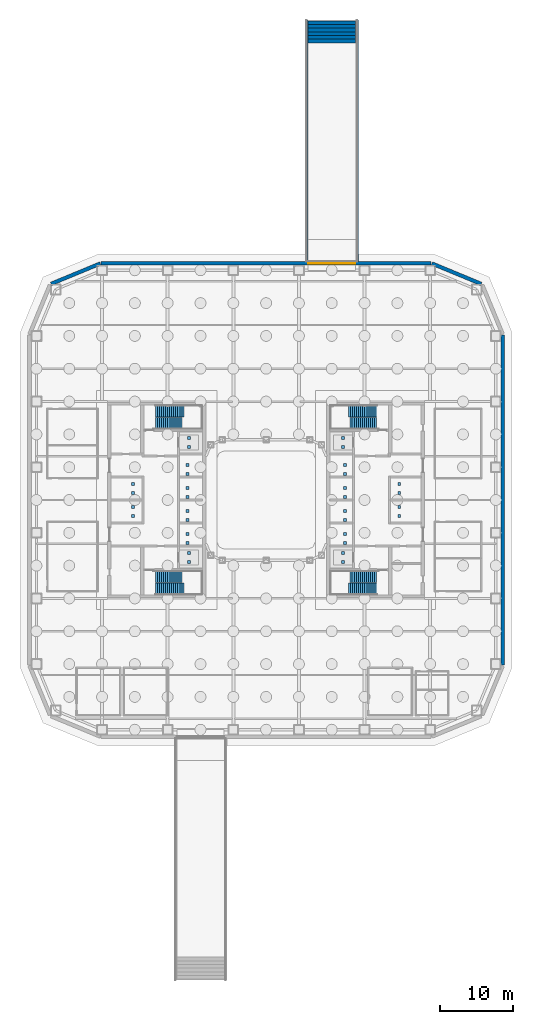
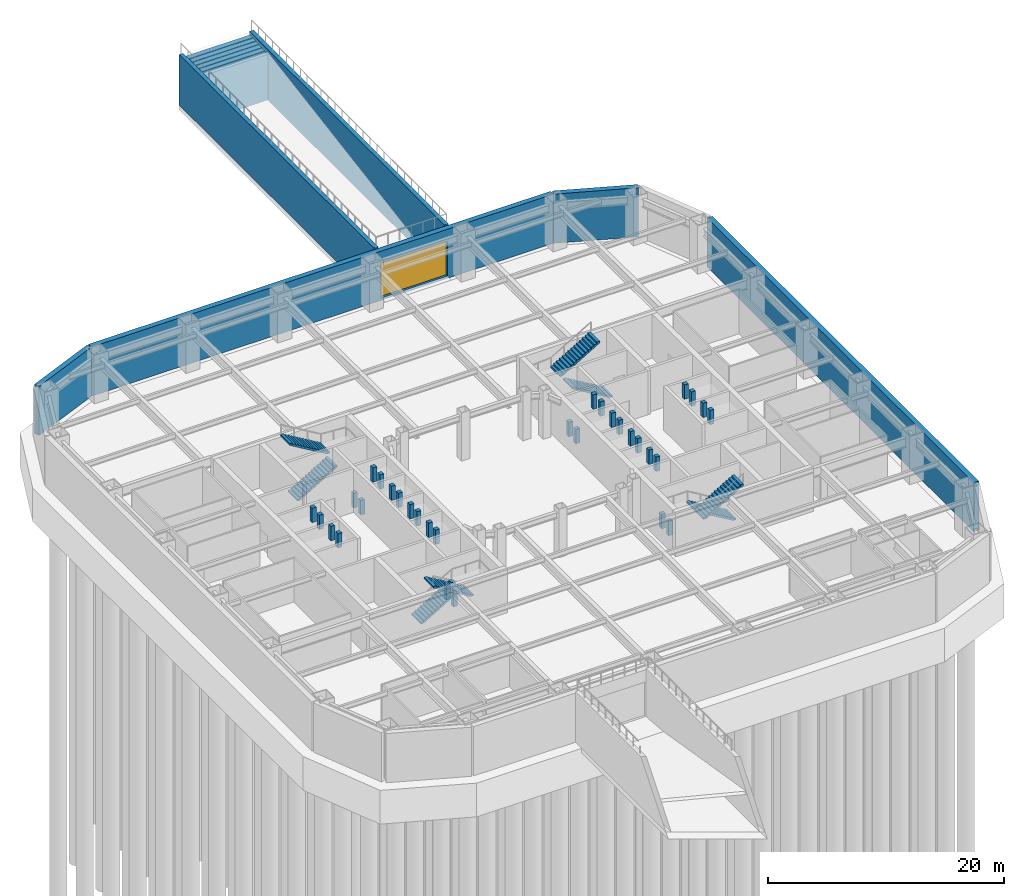
# One storey, part 7 of 10: 32 discrete accessories, 12 walls, 8 stair flights, 1 door, 1 opening, 4 elements without a shape of their own.
"""IFC4 building model written with IfcOpenShell, lengths in metres."""

from ifc_helpers import new_model, si_unit, direction, frame, frame_2d, origin, origin_2d, place, context, subcontext, project, spatial, polyline, rectangle, outline, extrude, material, layer, layer_set, type_object, element, fill, aggregate, save


model = new_model("IFC4")

# Units and contexts
model_context = context("Model", 3, precision=1e-05, world=origin(), true_north=direction((0.0, 1.0)))
body_context = subcontext(model_context, "Body", "Model", "MODEL_VIEW")
ifc_project = project(units=[si_unit("LENGTHUNIT", "METRE"), si_unit("AREAUNIT", "SQUARE_METRE"), si_unit("VOLUMEUNIT", "CUBIC_METRE"), si_unit("PLANEANGLEUNIT", "RADIAN"), si_unit("MASSUNIT", "GRAM", prefix="KILO")], contexts=[model_context])

# Site, building, storey
site_placement = place(None, origin())
site = spatial("IfcSite", under=ifc_project, at=site_placement, CompositionType="ELEMENT")
building_placement = place(site_placement, origin())
building = spatial("IfcBuilding", under=site, at=building_placement, Name="Siwar Civic Tower", CompositionType="ELEMENT")
storey_placement = place(building_placement, frame((0.0, 0.0, -5.0)))
storey = spatial("IfcBuildingStorey", under=building, at=storey_placement, Name="B1", CompositionType="ELEMENT", Elevation=-5.0)

# Walls
ifc_material_1 = material(Name="Concrete C40/50", Category="concrete")
ifc_layer_1 = layer(ifc_material_1, 0.5)
ifc_layer_set_1 = layer_set([ifc_layer_1], Name="Concrete C40/50")
wall_type_1 = type_object("IfcWallType", Name="GND-RAMPPIER", PredefinedType="SOLIDWALL", material=ifc_layer_set_1)
wall_1_placement = place(storey_placement, frame((5.75, 65.449951171875, -0.25), z_axis=(0.0, 0.0, 1.0), x_axis=(1.0, 0.0, 0.0)))
element("IfcWall", 1, at=wall_1_placement, inside=storey, type_object=wall_type_1, Name="B1/wall/pier-R2-1", PredefinedType="SOLIDWALL", context=body_context, shape_type="SweptSolid", body=[
    extrude(rectangle(XDim=6.5, YDim=0.5, at=frame_2d((3.25, 0.0))), origin(), (0.0, 0.0, 1.0), 4.958251953125),
])
wall_2_placement = place(storey_placement, frame((5.75, 64.949951171875, -0.25), z_axis=(0.0, 0.0, 1.0), x_axis=(1.0, 0.0, 0.0)))
element("IfcWall", 2, at=wall_2_placement, inside=storey, type_object=wall_type_1, Name="B1/wall/pier-R2-2", PredefinedType="SOLIDWALL", context=body_context, shape_type="SweptSolid", body=[
    extrude(rectangle(XDim=6.5, YDim=0.5, at=frame_2d((3.25, 0.0))), origin(), (0.0, 0.0, 1.0), 4.916748046875),
])
wall_3_placement = place(storey_placement, frame((5.75, 64.449951171875, -0.25), z_axis=(0.0, 0.0, 1.0), x_axis=(1.0, 0.0, 0.0)))
element("IfcWall", 3, at=wall_3_placement, inside=storey, type_object=wall_type_1, Name="B1/wall/pier-R2-3", PredefinedType="SOLIDWALL", context=body_context, shape_type="SweptSolid", body=[
    extrude(rectangle(XDim=6.5, YDim=0.5, at=frame_2d((3.25, 0.0))), origin(), (0.0, 0.0, 1.0), 4.875),
])
wall_4_placement = place(storey_placement, frame((5.75, 63.949951171875, -0.25), z_axis=(0.0, 0.0, 1.0), x_axis=(1.0, 0.0, 0.0)))
element("IfcWall", 4, at=wall_4_placement, inside=storey, type_object=wall_type_1, Name="B1/wall/pier-R2-4", PredefinedType="SOLIDWALL", context=body_context, shape_type="SweptSolid", body=[
    extrude(rectangle(XDim=6.5, YDim=0.5, at=frame_2d((3.25, 0.0))), origin(), (0.0, 0.0, 1.0), 4.833251953125),
])
wall_5_placement = place(storey_placement, frame((5.75, 63.449951171875, -0.25), z_axis=(0.0, 0.0, 1.0), x_axis=(1.0, 0.0, 0.0)))
element("IfcWall", 5, at=wall_5_placement, inside=storey, type_object=wall_type_1, Name="B1/wall/pier-R2-5", PredefinedType="SOLIDWALL", context=body_context, shape_type="SweptSolid", body=[
    extrude(rectangle(XDim=6.5, YDim=0.5, at=frame_2d((3.25, 0.0))), origin(), (0.0, 0.0, 1.0), 4.791748046875),
])
wall_6_placement = place(storey_placement, frame((5.75, 62.949951171875, -0.25), z_axis=(0.0, 0.0, 1.0), x_axis=(1.0, 0.0, 0.0)))
element("IfcWall", 6, at=wall_6_placement, inside=storey, type_object=wall_type_1, Name="B1/wall/pier-R2-6", PredefinedType="SOLIDWALL", context=body_context, shape_type="SweptSolid", body=[
    extrude(rectangle(XDim=6.5, YDim=0.5, at=frame_2d((3.25, 0.0))), origin(), (0.0, 0.0, 1.0), 4.75),
])
ifc_material_2 = material(Name="Concrete C40/50", Category="concrete")
ifc_layer_2 = layer(ifc_material_2, 0.5)
ifc_layer_set_2 = layer_set([ifc_layer_2], Name="Concrete C40/50")
wall_type_2 = type_object("IfcWallType", Name="GND-RETWALL", PredefinedType="SOLIDWALL", material=ifc_layer_set_2)
wall_7_placement = place(storey_placement, frame((32.449951171875, -22.63916015625, -0.25), z_axis=(0.0, 0.0, 1.0), x_axis=(0.0, 1.0, 0.0)))
element("IfcWall", 7, at=wall_7_placement, inside=storey, type_object=wall_type_2, Name="B1/wall/ret-04", PredefinedType="SOLIDWALL", context=body_context, shape_type="SweptSolid", body=[
    extrude(rectangle(XDim=45.2783203125, YDim=0.5, at=frame_2d((22.63916015625, 0.0))), origin(), (0.0, 0.0, 1.0), 5.10009765625),
])
wall_8_placement = place(storey_placement, frame((29.495361328125, 29.630615234375, -0.25), z_axis=(0.0, 0.0, 1.0), x_axis=(-0.923879388078, 0.382683781057, 0.0)))
element("IfcWall", 8, at=wall_8_placement, inside=storey, type_object=wall_type_2, Name="B1/wall/ret-06", PredefinedType="SOLIDWALL", context=body_context, shape_type="SweptSolid", body=[
    extrude(rectangle(XDim=7.317626953125, YDim=0.5, at=frame_2d((3.65869140625, 0.0))), origin(), (0.0, 0.0, 1.0), 5.10009765625),
])

# Wall, opening, door
wall_9_placement = place(storey_placement, frame((22.63916015625, 32.449951171875, -0.25), z_axis=(0.0, 0.0, 1.0), x_axis=(-1.0, 0.0, 0.0)))
wall_9 = element("IfcWall", 9, at=wall_9_placement, inside=storey, type_object=wall_type_2, Name="B1/wall/ret-07", PredefinedType="SOLIDWALL", context=body_context, shape_type="SweptSolid", body=[
    extrude(rectangle(XDim=45.2783203125, YDim=0.5, at=frame_2d((22.63916015625, 0.0))), origin(), (0.0, 0.0, 1.0), 5.10009765625),
])
opening_placement = place(wall_9_placement, frame((10.38916015625, 0.0, 0.25)))
opening = element("IfcOpeningElement", 10, at=opening_placement, cuts=wall_9, Name="Opening GE4", PredefinedType="OPENING", context=body_context, shape_type="SweptSolid", body=[
    extrude(rectangle(XDim=6.5, YDim=3.60009765625, at=frame_2d((3.25, 1.800048828125))), frame((0.0, 0.260009765625, 0.0), z_axis=(0.0, -1.0, 0.0), x_axis=(1.0, 0.0, 0.0)), (0.0, 0.0, 1.0), 0.52001953125),
])
ifc_material_3 = material(Name="Steel", Category="steel")
door_type = type_object("IfcDoorType", Name="GND-DOOR-VEH", OperationType="ROLLINGUP", PredefinedType="DOOR", material=ifc_material_3)
door_placement = place(opening_placement, origin())
door = element("IfcDoor", 11, at=door_placement, inside=storey, type_object=door_type, Name="Car park entrance 2", OperationType="ROLLINGUP", OverallHeight=3.60009765625, OverallWidth=6.5, PredefinedType="DOOR", context=body_context, shape_type="SweptSolid", body=[
    extrude(rectangle(XDim=6.5, YDim=3.60009765625, at=frame_2d((3.25, 1.800048828125))), frame((0.0, 0.02490234375, 0.0), z_axis=(0.0, -1.0, 0.0), x_axis=(1.0, 0.0, 0.0)), (0.0, 0.0, 1.0), 0.050048828125),
])
fill(opening, door)

# Walls
wall_10_placement = place(storey_placement, frame((-22.73486328125, 32.430908203125, -0.25), z_axis=(0.0, 0.0, 1.0), x_axis=(-0.923879388078, -0.382683781057, 0.0)))
element("IfcWall", 12, at=wall_10_placement, inside=storey, type_object=wall_type_2, Name="B1/wall/ret-08", PredefinedType="SOLIDWALL", context=body_context, shape_type="SweptSolid", body=[
    extrude(rectangle(XDim=7.317626953125, YDim=0.5, at=frame_2d((3.65869140625, 0.0))), origin(), (0.0, 0.0, 1.0), 5.10009765625),
])
ifc_material_4 = material(Name="Concrete C40/50", Category="concrete")
ifc_layer_3 = layer(ifc_material_4, 0.39990234375)
ifc_layer_set_3 = layer_set([ifc_layer_3], Name="Concrete C40/50")
wall_type_3 = type_object("IfcWallType", Name="GND-TRENCHWALL", PredefinedType="SOLIDWALL", material=ifc_layer_set_3)
for number, where, z_axis, x_axis, name in (
    (13, (5.550048828125, 32.699951171875, -0.25), (0.0, 0.0, 1.0), (0.0, 1.0, 0.0), "B1/wall/trench-R2-1"),
    (14, (12.449951171875, 32.699951171875, -0.25), (0.0, 0.0, 1.0), (0.0, 1.0, 0.0), "B1/wall/trench-R2-2"),
):
    element("IfcWall", number, at=place(storey_placement, frame(where, z_axis=z_axis, x_axis=x_axis)), inside=storey, type_object=wall_type_3, Name=name, PredefinedType="SOLIDWALL", context=body_context, shape_type="SweptSolid", body=[
        extrude(rectangle(XDim=33.10009765625, YDim=0.39990234375, at=frame_2d((16.550048828125, 0.0))), origin(), (0.0, 0.0, 1.0), 5.25),
    ])

# Stair, stair flights
ifc_material_5 = material(Name="Concrete C40/50", Category="concrete")
stair_type = type_object("IfcStairType", Name="CORE-STAIR", PredefinedType="TWO_STRAIGHT_RUN_STAIR", material=ifc_material_5)
stair_1_placement = place(storey_placement, origin())
stair_1 = element("IfcStair", 15, at=stair_1_placement, inside=storey, type_object=stair_type, Name="Exit stair ST1", PredefinedType="TWO_STRAIGHT_RUN_STAIR")
ifc_material_6 = material(Name="Concrete C40/50", Category="concrete")
stair_flight_type = type_object("IfcStairFlightType", Name="CORE-STAIR-FLIGHT", PredefinedType="STRAIGHT", material=ifc_material_6)
stair_flight_1_placement = place(storey_placement, frame((-15.449951171875, 10.5, 0.0), z_axis=(0.0, 0.0, 1.0), x_axis=(1.0, 0.0, 0.0)))
stair_flight_1 = element("IfcStairFlight", 16, at=stair_flight_1_placement, type_object=stair_flight_type, Name="ST1 flight 1", NumberOfRisers=15, NumberOfTreads=14, PredefinedType="STRAIGHT", RiserHeight=0.166666667, TreadLength=0.28, context=body_context, shape_type="SweptSolid", body=[
    extrude(outline(polyline([(0.0, 0.0), (0.0, 0.166748046875), (0.280029296875, 0.166748046875), (0.280029296875, 0.333251953125), (0.56005859375, 0.333251953125), (0.56005859375, 0.5), (0.840087890625, 0.5), (0.840087890625, 0.666748046875), (1.1201171875, 0.666748046875), (1.1201171875, 0.833251953125), (1.39990234375, 0.833251953125), (1.39990234375, 1.0), (1.679931640625, 1.0), (1.679931640625, 1.166748046875), (1.9599609375, 1.166748046875), (1.9599609375, 1.333251953125), (2.239990234375, 1.333251953125), (2.239990234375, 1.5), (2.52001953125, 1.5), (2.52001953125, 1.666748046875), (2.800048828125, 1.666748046875), (2.800048828125, 1.833251953125), (3.080078125, 1.833251953125), (3.080078125, 2.0), (3.360107421875, 2.0), (3.360107421875, 2.166748046875), (3.639892578125, 2.166748046875), (3.639892578125, 2.333251953125), (3.919921875, 2.333251953125), (3.919921875, 2.5), (3.919921875, 2.158935546875), (0.29296875, 0.0), (0.0, 0.0)])), frame((0.0, 0.800048828125, 0.0), z_axis=(0.0, -1.0, 0.0), x_axis=(1.0, 0.0, 0.0)), (0.0, 0.0, 1.0), 1.60009765625),
])
stair_flight_2_placement = place(storey_placement, frame((-11.280029296875, 12.199951171875, 2.5), z_axis=(0.0, 0.0, 1.0), x_axis=(-1.0, 0.0, 0.0)))
stair_flight_2 = element("IfcStairFlight", 17, at=stair_flight_2_placement, type_object=stair_flight_type, Name="ST1 flight 2", NumberOfRisers=15, NumberOfTreads=14, PredefinedType="STRAIGHT", RiserHeight=0.166666667, TreadLength=0.28, context=body_context, shape_type="SweptSolid", body=[
    extrude(outline(polyline([(0.0, 0.0), (0.0, 0.166748046875), (0.280029296875, 0.166748046875), (0.280029296875, 0.333251953125), (0.56005859375, 0.333251953125), (0.56005859375, 0.5), (0.840087890625, 0.5), (0.840087890625, 0.666748046875), (1.1201171875, 0.666748046875), (1.1201171875, 0.833251953125), (1.39990234375, 0.833251953125), (1.39990234375, 1.0), (1.679931640625, 1.0), (1.679931640625, 1.166748046875), (1.9599609375, 1.166748046875), (1.9599609375, 1.333251953125), (2.239990234375, 1.333251953125), (2.239990234375, 1.5), (2.52001953125, 1.5), (2.52001953125, 1.666748046875), (2.800048828125, 1.666748046875), (2.800048828125, 1.833251953125), (3.080078125, 1.833251953125), (3.080078125, 2.0), (3.360107421875, 2.0), (3.360107421875, 2.166748046875), (3.639892578125, 2.166748046875), (3.639892578125, 2.333251953125), (3.919921875, 2.333251953125), (3.919921875, 2.5), (3.919921875, 2.158935546875), (0.29296875, 0.0), (0.0, 0.0)])), frame((0.0, 0.800048828125, 0.0), z_axis=(0.0, -1.0, 0.0), x_axis=(1.0, 0.0, 0.0)), (0.0, 0.0, 1.0), 1.60009765625),
])
aggregate(stair_1, [stair_flight_1, stair_flight_2])

stair_2_placement = place(storey_placement, origin())
stair_2 = element("IfcStair", 18, at=stair_2_placement, inside=storey, type_object=stair_type, Name="Exit stair ST2", PredefinedType="TWO_STRAIGHT_RUN_STAIR")
stair_flight_3_placement = place(storey_placement, frame((-15.449951171875, -10.5, 0.0), z_axis=(0.0, 0.0, 1.0), x_axis=(1.0, 0.0, 0.0)))
stair_flight_3 = element("IfcStairFlight", 19, at=stair_flight_3_placement, type_object=stair_flight_type, Name="ST2 flight 1", NumberOfRisers=15, NumberOfTreads=14, PredefinedType="STRAIGHT", RiserHeight=0.166666667, TreadLength=0.28, context=body_context, shape_type="SweptSolid", body=[
    extrude(outline(polyline([(0.0, 0.0), (0.0, 0.166748046875), (0.280029296875, 0.166748046875), (0.280029296875, 0.333251953125), (0.56005859375, 0.333251953125), (0.56005859375, 0.5), (0.840087890625, 0.5), (0.840087890625, 0.666748046875), (1.1201171875, 0.666748046875), (1.1201171875, 0.833251953125), (1.39990234375, 0.833251953125), (1.39990234375, 1.0), (1.679931640625, 1.0), (1.679931640625, 1.166748046875), (1.9599609375, 1.166748046875), (1.9599609375, 1.333251953125), (2.239990234375, 1.333251953125), (2.239990234375, 1.5), (2.52001953125, 1.5), (2.52001953125, 1.666748046875), (2.800048828125, 1.666748046875), (2.800048828125, 1.833251953125), (3.080078125, 1.833251953125), (3.080078125, 2.0), (3.360107421875, 2.0), (3.360107421875, 2.166748046875), (3.639892578125, 2.166748046875), (3.639892578125, 2.333251953125), (3.919921875, 2.333251953125), (3.919921875, 2.5), (3.919921875, 2.158935546875), (0.29296875, 0.0), (0.0, 0.0)])), frame((0.0, 0.800048828125, 0.0), z_axis=(0.0, -1.0, 0.0), x_axis=(1.0, 0.0, 0.0)), (0.0, 0.0, 1.0), 1.60009765625),
])
stair_flight_4_placement = place(storey_placement, frame((-11.280029296875, -12.199951171875, 2.5), z_axis=(0.0, 0.0, 1.0), x_axis=(-1.0, 0.0, 0.0)))
stair_flight_4 = element("IfcStairFlight", 20, at=stair_flight_4_placement, type_object=stair_flight_type, Name="ST2 flight 2", NumberOfRisers=15, NumberOfTreads=14, PredefinedType="STRAIGHT", RiserHeight=0.166666667, TreadLength=0.28, context=body_context, shape_type="SweptSolid", body=[
    extrude(outline(polyline([(0.0, 0.0), (0.0, 0.166748046875), (0.280029296875, 0.166748046875), (0.280029296875, 0.333251953125), (0.56005859375, 0.333251953125), (0.56005859375, 0.5), (0.840087890625, 0.5), (0.840087890625, 0.666748046875), (1.1201171875, 0.666748046875), (1.1201171875, 0.833251953125), (1.39990234375, 0.833251953125), (1.39990234375, 1.0), (1.679931640625, 1.0), (1.679931640625, 1.166748046875), (1.9599609375, 1.166748046875), (1.9599609375, 1.333251953125), (2.239990234375, 1.333251953125), (2.239990234375, 1.5), (2.52001953125, 1.5), (2.52001953125, 1.666748046875), (2.800048828125, 1.666748046875), (2.800048828125, 1.833251953125), (3.080078125, 1.833251953125), (3.080078125, 2.0), (3.360107421875, 2.0), (3.360107421875, 2.166748046875), (3.639892578125, 2.166748046875), (3.639892578125, 2.333251953125), (3.919921875, 2.333251953125), (3.919921875, 2.5), (3.919921875, 2.158935546875), (0.29296875, 0.0), (0.0, 0.0)])), frame((0.0, 0.800048828125, 0.0), z_axis=(0.0, -1.0, 0.0), x_axis=(1.0, 0.0, 0.0)), (0.0, 0.0, 1.0), 1.60009765625),
])
aggregate(stair_2, [stair_flight_3, stair_flight_4])

stair_3_placement = place(storey_placement, origin())
stair_3 = element("IfcStair", 21, at=stair_3_placement, inside=storey, type_object=stair_type, Name="Exit stair ST3", PredefinedType="TWO_STRAIGHT_RUN_STAIR")
stair_flight_5_placement = place(storey_placement, frame((15.449951171875, 10.5, 0.0), z_axis=(0.0, 0.0, 1.0), x_axis=(-1.0, 0.0, 0.0)))
stair_flight_5 = element("IfcStairFlight", 22, at=stair_flight_5_placement, type_object=stair_flight_type, Name="ST3 flight 1", NumberOfRisers=15, NumberOfTreads=14, PredefinedType="STRAIGHT", RiserHeight=0.166666667, TreadLength=0.28, context=body_context, shape_type="SweptSolid", body=[
    extrude(outline(polyline([(0.0, 0.0), (0.0, 0.166748046875), (0.280029296875, 0.166748046875), (0.280029296875, 0.333251953125), (0.56005859375, 0.333251953125), (0.56005859375, 0.5), (0.840087890625, 0.5), (0.840087890625, 0.666748046875), (1.1201171875, 0.666748046875), (1.1201171875, 0.833251953125), (1.39990234375, 0.833251953125), (1.39990234375, 1.0), (1.679931640625, 1.0), (1.679931640625, 1.166748046875), (1.9599609375, 1.166748046875), (1.9599609375, 1.333251953125), (2.239990234375, 1.333251953125), (2.239990234375, 1.5), (2.52001953125, 1.5), (2.52001953125, 1.666748046875), (2.800048828125, 1.666748046875), (2.800048828125, 1.833251953125), (3.080078125, 1.833251953125), (3.080078125, 2.0), (3.360107421875, 2.0), (3.360107421875, 2.166748046875), (3.639892578125, 2.166748046875), (3.639892578125, 2.333251953125), (3.919921875, 2.333251953125), (3.919921875, 2.5), (3.919921875, 2.158935546875), (0.29296875, 0.0), (0.0, 0.0)])), frame((0.0, 0.800048828125, 0.0), z_axis=(0.0, -1.0, 0.0), x_axis=(1.0, 0.0, 0.0)), (0.0, 0.0, 1.0), 1.60009765625),
])
stair_flight_6_placement = place(storey_placement, frame((11.280029296875, 12.199951171875, 2.5), z_axis=(0.0, 0.0, 1.0), x_axis=(1.0, 0.0, 0.0)))
stair_flight_6 = element("IfcStairFlight", 23, at=stair_flight_6_placement, type_object=stair_flight_type, Name="ST3 flight 2", NumberOfRisers=15, NumberOfTreads=14, PredefinedType="STRAIGHT", RiserHeight=0.166666667, TreadLength=0.28, context=body_context, shape_type="SweptSolid", body=[
    extrude(outline(polyline([(0.0, 0.0), (0.0, 0.166748046875), (0.280029296875, 0.166748046875), (0.280029296875, 0.333251953125), (0.56005859375, 0.333251953125), (0.56005859375, 0.5), (0.840087890625, 0.5), (0.840087890625, 0.666748046875), (1.1201171875, 0.666748046875), (1.1201171875, 0.833251953125), (1.39990234375, 0.833251953125), (1.39990234375, 1.0), (1.679931640625, 1.0), (1.679931640625, 1.166748046875), (1.9599609375, 1.166748046875), (1.9599609375, 1.333251953125), (2.239990234375, 1.333251953125), (2.239990234375, 1.5), (2.52001953125, 1.5), (2.52001953125, 1.666748046875), (2.800048828125, 1.666748046875), (2.800048828125, 1.833251953125), (3.080078125, 1.833251953125), (3.080078125, 2.0), (3.360107421875, 2.0), (3.360107421875, 2.166748046875), (3.639892578125, 2.166748046875), (3.639892578125, 2.333251953125), (3.919921875, 2.333251953125), (3.919921875, 2.5), (3.919921875, 2.158935546875), (0.29296875, 0.0), (0.0, 0.0)])), frame((0.0, 0.800048828125, 0.0), z_axis=(0.0, -1.0, 0.0), x_axis=(1.0, 0.0, 0.0)), (0.0, 0.0, 1.0), 1.60009765625),
])
aggregate(stair_3, [stair_flight_5, stair_flight_6])

stair_4_placement = place(storey_placement, origin())
stair_4 = element("IfcStair", 24, at=stair_4_placement, inside=storey, type_object=stair_type, Name="Exit stair ST4", PredefinedType="TWO_STRAIGHT_RUN_STAIR")
stair_flight_7_placement = place(storey_placement, frame((15.449951171875, -10.5, 0.0), z_axis=(0.0, 0.0, 1.0), x_axis=(-1.0, 0.0, 0.0)))
stair_flight_7 = element("IfcStairFlight", 25, at=stair_flight_7_placement, type_object=stair_flight_type, Name="ST4 flight 1", NumberOfRisers=15, NumberOfTreads=14, PredefinedType="STRAIGHT", RiserHeight=0.166666667, TreadLength=0.28, context=body_context, shape_type="SweptSolid", body=[
    extrude(outline(polyline([(0.0, 0.0), (0.0, 0.166748046875), (0.280029296875, 0.166748046875), (0.280029296875, 0.333251953125), (0.56005859375, 0.333251953125), (0.56005859375, 0.5), (0.840087890625, 0.5), (0.840087890625, 0.666748046875), (1.1201171875, 0.666748046875), (1.1201171875, 0.833251953125), (1.39990234375, 0.833251953125), (1.39990234375, 1.0), (1.679931640625, 1.0), (1.679931640625, 1.166748046875), (1.9599609375, 1.166748046875), (1.9599609375, 1.333251953125), (2.239990234375, 1.333251953125), (2.239990234375, 1.5), (2.52001953125, 1.5), (2.52001953125, 1.666748046875), (2.800048828125, 1.666748046875), (2.800048828125, 1.833251953125), (3.080078125, 1.833251953125), (3.080078125, 2.0), (3.360107421875, 2.0), (3.360107421875, 2.166748046875), (3.639892578125, 2.166748046875), (3.639892578125, 2.333251953125), (3.919921875, 2.333251953125), (3.919921875, 2.5), (3.919921875, 2.158935546875), (0.29296875, 0.0), (0.0, 0.0)])), frame((0.0, 0.800048828125, 0.0), z_axis=(0.0, -1.0, 0.0), x_axis=(1.0, 0.0, 0.0)), (0.0, 0.0, 1.0), 1.60009765625),
])
stair_flight_8_placement = place(storey_placement, frame((11.280029296875, -12.199951171875, 2.5), z_axis=(0.0, 0.0, 1.0), x_axis=(1.0, 0.0, 0.0)))
stair_flight_8 = element("IfcStairFlight", 26, at=stair_flight_8_placement, type_object=stair_flight_type, Name="ST4 flight 2", NumberOfRisers=15, NumberOfTreads=14, PredefinedType="STRAIGHT", RiserHeight=0.166666667, TreadLength=0.28, context=body_context, shape_type="SweptSolid", body=[
    extrude(outline(polyline([(0.0, 0.0), (0.0, 0.166748046875), (0.280029296875, 0.166748046875), (0.280029296875, 0.333251953125), (0.56005859375, 0.333251953125), (0.56005859375, 0.5), (0.840087890625, 0.5), (0.840087890625, 0.666748046875), (1.1201171875, 0.666748046875), (1.1201171875, 0.833251953125), (1.39990234375, 0.833251953125), (1.39990234375, 1.0), (1.679931640625, 1.0), (1.679931640625, 1.166748046875), (1.9599609375, 1.166748046875), (1.9599609375, 1.333251953125), (2.239990234375, 1.333251953125), (2.239990234375, 1.5), (2.52001953125, 1.5), (2.52001953125, 1.666748046875), (2.800048828125, 1.666748046875), (2.800048828125, 1.833251953125), (3.080078125, 1.833251953125), (3.080078125, 2.0), (3.360107421875, 2.0), (3.360107421875, 2.166748046875), (3.639892578125, 2.166748046875), (3.639892578125, 2.333251953125), (3.919921875, 2.333251953125), (3.919921875, 2.5), (3.919921875, 2.158935546875), (0.29296875, 0.0), (0.0, 0.0)])), frame((0.0, 0.800048828125, 0.0), z_axis=(0.0, -1.0, 0.0), x_axis=(1.0, 0.0, 0.0)), (0.0, 0.0, 1.0), 1.60009765625),
])
aggregate(stair_4, [stair_flight_7, stair_flight_8])

# Discrete accessories
ifc_material_7 = material(Name="Steel S355", Category="steel")
discrete_accessory_type = type_object("IfcDiscreteAccessoryType", Name="CORE-LIFT-BUFFER", PredefinedType="BRACKET", material=ifc_material_7)
for number, where, z_axis, x_axis, name in (
    (27, (-10.800048828125, -5.875, 3.5), (0.0, 0.0, 1.0), (1.0, 0.0, 0.0), "Lift buffer LR1"),
    (28, (-10.800048828125, -4.675048828125, 3.5), (0.0, 0.0, 1.0), (1.0, 0.0, 0.0), "Lift buffer LR1"),
    (29, (-10.800048828125, -2.72509765625, 3.5), (0.0, 0.0, 1.0), (1.0, 0.0, 0.0), "Lift buffer LR2"),
    (30, (-10.800048828125, -1.52490234375, 3.5), (0.0, 0.0, 1.0), (1.0, 0.0, 0.0), "Lift buffer LR2"),
    (31, (-10.800048828125, 0.425048828125, 3.5), (0.0, 0.0, 1.0), (1.0, 0.0, 0.0), "Lift buffer LR3"),
    (32, (-10.800048828125, 1.625, 3.5), (0.0, 0.0, 1.0), (1.0, 0.0, 0.0), "Lift buffer LR3"),
    (33, (-10.800048828125, 3.574951171875, 3.5), (0.0, 0.0, 1.0), (1.0, 0.0, 0.0), "Lift buffer LR4"),
    (34, (-10.800048828125, 4.77490234375, 3.5), (0.0, 0.0, 1.0), (1.0, 0.0, 0.0), "Lift buffer LR4"),
    (35, (-18.25, -2.175048828125, 3.5), (0.0, 0.0, 1.0), (1.0, 0.0, 0.0), "Lift buffer SH1"),
    (36, (-18.25, -0.97509765625, 3.5), (0.0, 0.0, 1.0), (1.0, 0.0, 0.0), "Lift buffer SH1"),
    (37, (-18.25, 0.97509765625, 3.5), (0.0, 0.0, 1.0), (1.0, 0.0, 0.0), "Lift buffer SH2"),
    (38, (-18.25, 2.175048828125, 3.5), (0.0, 0.0, 1.0), (1.0, 0.0, 0.0), "Lift buffer SH2"),
    (39, (-10.550048828125, 7.27490234375, -1.5), (0.0, 0.0, 1.0), (1.0, 0.0, 0.0), "Lift buffer FF1"),
    (40, (-10.550048828125, 8.47509765625, -1.5), (0.0, 0.0, 1.0), (1.0, 0.0, 0.0), "Lift buffer FF1"),
    (41, (-10.550048828125, -8.47509765625, -1.5), (0.0, 0.0, 1.0), (1.0, 0.0, 0.0), "Lift buffer SV1"),
    (42, (-10.550048828125, -7.27490234375, -1.5), (0.0, 0.0, 1.0), (1.0, 0.0, 0.0), "Lift buffer SV1"),
    (43, (10.800048828125, -5.875, 3.5), (0.0, 0.0, 1.0), (1.0, 0.0, 0.0), "Lift buffer LR5"),
    (44, (10.800048828125, -4.675048828125, 3.5), (0.0, 0.0, 1.0), (1.0, 0.0, 0.0), "Lift buffer LR5"),
    (45, (10.800048828125, -2.72509765625, 3.5), (0.0, 0.0, 1.0), (1.0, 0.0, 0.0), "Lift buffer LR6"),
    (46, (10.800048828125, -1.52490234375, 3.5), (0.0, 0.0, 1.0), (1.0, 0.0, 0.0), "Lift buffer LR6"),
    (47, (10.800048828125, 0.425048828125, 3.5), (0.0, 0.0, 1.0), (1.0, 0.0, 0.0), "Lift buffer LR7"),
    (48, (10.800048828125, 1.625, 3.5), (0.0, 0.0, 1.0), (1.0, 0.0, 0.0), "Lift buffer LR7"),
    (49, (10.800048828125, 3.574951171875, 3.5), (0.0, 0.0, 1.0), (1.0, 0.0, 0.0), "Lift buffer LR8"),
    (50, (10.800048828125, 4.77490234375, 3.5), (0.0, 0.0, 1.0), (1.0, 0.0, 0.0), "Lift buffer LR8"),
    (51, (18.25, -2.175048828125, 3.5), (0.0, 0.0, 1.0), (1.0, 0.0, 0.0), "Lift buffer SH3"),
    (52, (18.25, -0.97509765625, 3.5), (0.0, 0.0, 1.0), (1.0, 0.0, 0.0), "Lift buffer SH3"),
    (53, (18.25, 0.97509765625, 3.5), (0.0, 0.0, 1.0), (1.0, 0.0, 0.0), "Lift buffer SH4"),
    (54, (18.25, 2.175048828125, 3.5), (0.0, 0.0, 1.0), (1.0, 0.0, 0.0), "Lift buffer SH4"),
    (55, (10.550048828125, 7.27490234375, -1.5), (0.0, 0.0, 1.0), (1.0, 0.0, 0.0), "Lift buffer FF2"),
    (56, (10.550048828125, 8.47509765625, -1.5), (0.0, 0.0, 1.0), (1.0, 0.0, 0.0), "Lift buffer FF2"),
    (57, (10.550048828125, -8.47509765625, -1.5), (0.0, 0.0, 1.0), (1.0, 0.0, 0.0), "Lift buffer SV2"),
    (58, (10.550048828125, -7.27490234375, -1.5), (0.0, 0.0, 1.0), (1.0, 0.0, 0.0), "Lift buffer SV2"),
):
    element("IfcDiscreteAccessory", number, at=place(storey_placement, frame(where, z_axis=z_axis, x_axis=x_axis)), inside=storey, type_object=discrete_accessory_type, Name=name, PredefinedType="BRACKET", context=body_context, shape_type="SweptSolid", body=[
        extrude(rectangle(XDim=0.39990234375, YDim=0.39990234375, at=origin_2d()), origin(), (0.0, 0.0, 1.0), 1.5),
    ])

save(model, "model.ifc")
